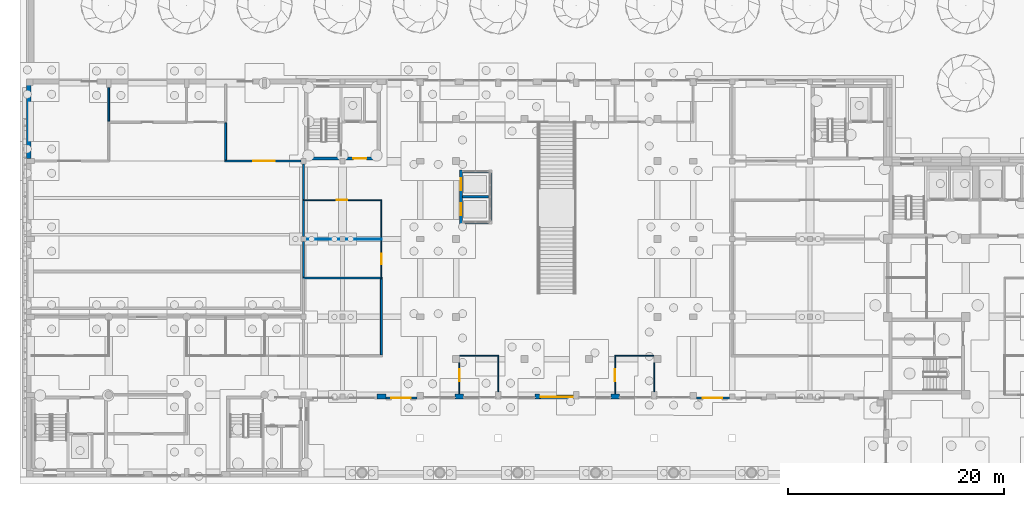
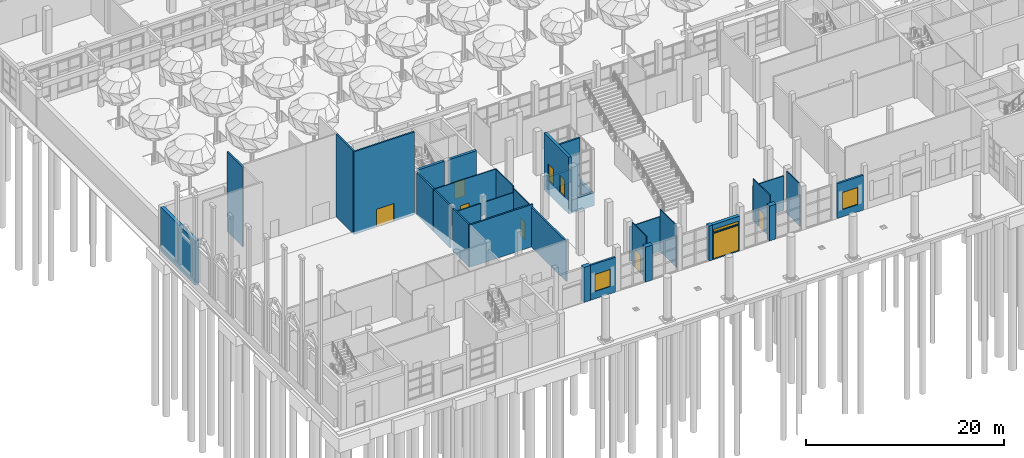
# One storey, part 42 of 80: 34 walls, 9 doors, 3 windows, 12 openings.
"""IFC4 building model written with IfcOpenShell, lengths in metres."""

import ifcopenshell
import ifcopenshell.guid

model = None  # the IFC model being written
_history = None  # IfcOwnerHistory: only IFC2X3 demands one
_inside = {}  # id of a spatial element -> (the spatial element, [elements in it])
_under = {}  # id of a project, library or spatial element -> (it, [spatial elements below it])
_declared = {}  # id of a project -> (the project, [libraries it declares])
_typed = {}  # id of a type object -> (the type object, [elements of that type])
_made_of = {}  # id of a material, layer set ... -> (it, [elements and type objects made of it])


def new_model(schema):
    """Start an empty IFC model of exactly this schema.

    Asked for "IFC4X3", IfcOpenShell would pick the latest addendum, in which some entities
    have other attributes; the version numbers below select the first issue.
    IFC2X3 requires an IfcOwnerHistory on every rooted entity: one is made here for all.
    """
    global model, _history
    if schema == "IFC4X3":
        model = ifcopenshell.file(schema_version=(4, 3, 0, 0))
    else:
        model = ifcopenshell.file(schema=schema)
    _inside.clear()
    _under.clear()
    _declared.clear()
    _typed.clear()
    _made_of.clear()
    _history = None
    if model.schema == "IFC2X3":
        org = make("IfcOrganization", Name="unknown")
        user = make(
            "IfcPersonAndOrganization",
            ThePerson=make("IfcPerson", FamilyName="unknown"),
            TheOrganization=org,
        )
        app = make(
            "IfcApplication",
            ApplicationDeveloper=org,
            Version="unknown",
            ApplicationFullName="unknown",
            ApplicationIdentifier="unknown",
        )
        _history = make(
            "IfcOwnerHistory",
            OwningUser=user,
            OwningApplication=app,
            ChangeAction="ADDED",
            CreationDate=0,
        )
    return model


def make(cls, **values):
    """One entity of the class cls with the attributes given. An attribute that is None is left unset."""
    return model.create_entity(
        cls, **{name: value for name, value in values.items() if value is not None}
    )


def rooted(cls, **values):
    """An entity with a GlobalId (a new one), such as an element, a storey or a relation."""
    return make(cls, GlobalId=ifcopenshell.guid.new(), OwnerHistory=_history, **values)


def si_unit(unit_type, name, prefix=None):
    """IfcSIUnit, for example si_unit("LENGTHUNIT", "METRE", prefix="MILLI")."""
    return make("IfcSIUnit", UnitType=unit_type, Prefix=prefix, Name=name)


def assignment(units):
    """IfcUnitAssignment: the units of a project."""
    return None if units is None else make("IfcUnitAssignment", Units=units)


def point(xyz):
    """IfcCartesianPoint."""
    return None if xyz is None else make("IfcCartesianPoint", Coordinates=xyz)


def direction(xyz):
    """IfcDirection."""
    return None if xyz is None else make("IfcDirection", DirectionRatios=xyz)


def frame(location, z_axis=None, x_axis=None):
    """IfcAxis2Placement3D, a coordinate frame: its origin and axes. An axis left out is left unset."""
    return make(
        "IfcAxis2Placement3D",
        Location=point(location),
        Axis=direction(z_axis),
        RefDirection=direction(x_axis),
    )


def frame_2d(location, x_axis=None):
    """IfcAxis2Placement2D, a coordinate frame in the plane: its origin and x axis."""
    return make(
        "IfcAxis2Placement2D", Location=point(location), RefDirection=direction(x_axis)
    )


def origin():
    """The frame at (0, 0, 0) with its axes left unset."""
    return frame((0.0, 0.0, 0.0))


def place(relative_to, where):
    """IfcLocalPlacement: puts the frame where relative to a parent placement (None: the world)."""
    return make(
        "IfcLocalPlacement", PlacementRelTo=relative_to, RelativePlacement=where
    )


def context(
    kind, dimensions, precision=None, world=None, true_north=None, identifier=None
):
    """IfcGeometricRepresentationContext, for example the 3D "Model" context."""
    return make(
        "IfcGeometricRepresentationContext",
        ContextIdentifier=identifier,
        ContextType=kind,
        CoordinateSpaceDimension=dimensions,
        Precision=precision,
        WorldCoordinateSystem=world,
        TrueNorth=true_north,
    )


def subcontext(parent, identifier, kind, view, scale=None):
    """IfcGeometricRepresentationSubContext, for example "Body" below "Model"."""
    return make(
        "IfcGeometricRepresentationSubContext",
        ContextIdentifier=identifier,
        ContextType=kind,
        ParentContext=parent,
        TargetScale=scale,
        TargetView=view,
    )


def project(units=None, contexts=None):
    """IfcProject with its units and contexts."""
    return rooted(
        "IfcProject",
        Name="project",
        RepresentationContexts=contexts,
        UnitsInContext=assignment(units),
    )


def spatial(cls, under=None, at=None, **own):
    """A site, building, storey or space (cls), placed at a placement, below another one or the project."""
    s = rooted(cls, ObjectPlacement=at, **own)
    if under is not None:
        _under.setdefault(under.id(), (under, []))[1].append(s)
    return s


def profile(cls, at=None, kind="AREA", **sizes):
    """A parametric profile (cls). Its sizes go by their IFC names, for example OverallWidth=200.0."""
    return make(cls, ProfileType=kind, Position=at, **sizes)


def rectangle(**sizes):
    """IfcRectangleProfileDef."""
    return profile("IfcRectangleProfileDef", **sizes)


def extrude(swept, where, along, depth):
    """IfcExtrudedAreaSolid: the profile swept, set in the frame where, extruded along a direction by depth."""
    return make(
        "IfcExtrudedAreaSolid",
        SweptArea=swept,
        Position=where,
        ExtrudedDirection=direction(along),
        Depth=depth,
    )


def shape(context_of_items, identifier, shape_type, items):
    """IfcShapeRepresentation: the items that make up one representation, for example the "Body"."""
    return make(
        "IfcShapeRepresentation",
        ContextOfItems=context_of_items,
        RepresentationIdentifier=identifier,
        RepresentationType=shape_type,
        Items=items,
    )


def material(Name=None, Category=None):
    """IfcMaterial."""
    return make("IfcMaterial", Name=Name, Category=Category)


def layer(
    of_material, thickness, ventilated=None, Name=None, Category=None, Priority=None
):
    """IfcMaterialLayer: one layer of a wall or slab, of a material (None: an air gap)."""
    return make(
        "IfcMaterialLayer",
        Material=of_material,
        LayerThickness=thickness,
        IsVentilated=ventilated,
        Name=Name,
        Category=Category,
        Priority=Priority,
    )


def layer_set(layers, Name=None):
    """IfcMaterialLayerSet."""
    return make("IfcMaterialLayerSet", MaterialLayers=layers, LayerSetName=Name)


def made_of(thing, what):
    """Note that an element or type object is made of a material, layer set ...; save() writes the relation."""
    if what is not None:
        _made_of.setdefault(what.id(), (what, []))[1].append(thing)
    return thing


def type_object(cls, material=None, **own):
    """A type object (cls), such as IfcWallType, which elements share."""
    return made_of(rooted(cls, **own), material)


def element(
    cls,
    number,
    at=None,
    inside=None,
    cuts=None,
    type_object=None,
    material=None,
    context=None,
    identifier="Body",
    shape_type=None,
    held_by="IfcProductDefinitionShape",
    body=None,
    shapes=None,
    **own,
):
    """One element of the class cls, such as IfcWall. Its Tag is "e" and its number.

    at: its placement. inside: the storey or other place that contains it. cuts: it is an
    opening in that element (IfcRelVoidsElement). A single representation is given by context,
    identifier, shape_type and body (its items); several are given by shapes. held_by: the class
    of the entity that holds the representations. save() writes the other relations.
    """
    e = rooted(cls, Tag="e%d" % number, ObjectPlacement=at, **own)
    if body is not None:
        shapes = [shape(context, identifier, shape_type, body)]
    if shapes is not None:
        e.Representation = make(held_by, Representations=shapes)
    if inside is not None:
        _inside.setdefault(inside.id(), (inside, []))[1].append(e)
    if cuts is not None:
        rooted(
            "IfcRelVoidsElement", RelatingBuildingElement=cuts, RelatedOpeningElement=e
        )
    if type_object is not None:
        _typed.setdefault(type_object.id(), (type_object, []))[1].append(e)
    return made_of(e, material)


def fill(opening, filler):
    """IfcRelFillsElement: the door or window that sits in an opening."""
    return rooted(
        "IfcRelFillsElement",
        RelatingOpeningElement=opening,
        RelatedBuildingElement=filler,
    )


def aggregate(whole, parts):
    """IfcRelAggregates: a whole, such as a stair, and the parts it consists of."""
    return rooted("IfcRelAggregates", RelatingObject=whole, RelatedObjects=parts)


def save(model, path):
    """Write the relations noted so far, then the file.

    IfcRelAggregates (storeys below a building ...), IfcRelContainedInSpatialStructure (elements
    in a storey), IfcRelDefinesByType, IfcRelAssociatesMaterial and IfcRelDeclares: one each for
    every whole, place, type object, material and project.
    """
    for whole, parts in _under.values():
        aggregate(whole, parts)
    for where, things in _inside.values():
        rooted(
            "IfcRelContainedInSpatialStructure",
            RelatedElements=things,
            RelatingStructure=where,
        )
    for kind, things in _typed.values():
        rooted("IfcRelDefinesByType", RelatedObjects=things, RelatingType=kind)
    for what, things in _made_of.values():
        rooted("IfcRelAssociatesMaterial", RelatedObjects=things, RelatingMaterial=what)
    for by, libraries in _declared.values():
        rooted("IfcRelDeclares", RelatingContext=by, RelatedDefinitions=libraries)
    model.write(path)


model = new_model("IFC4")

# Units and contexts
model_context = context("Model", 3, precision=1e-05, world=origin(), true_north=direction((0.0, 1.0)))
body_context = subcontext(model_context, "Body", "Model", "MODEL_VIEW")
ifc_project = project(units=[si_unit("LENGTHUNIT", "METRE"), si_unit("AREAUNIT", "SQUARE_METRE"), si_unit("VOLUMEUNIT", "CUBIC_METRE"), si_unit("PLANEANGLEUNIT", "RADIAN"), si_unit("MASSUNIT", "GRAM", prefix="KILO")], contexts=[model_context])

# Site, building, storey
site_placement = place(None, origin())
site = spatial("IfcSite", under=ifc_project, at=site_placement, CompositionType="ELEMENT")
building_placement = place(site_placement, origin())
building = spatial("IfcBuilding", under=site, at=building_placement, Name="Ussher Court Research Institute", CompositionType="ELEMENT")
storey_placement = place(building_placement, origin())
storey = spatial("IfcBuildingStorey", under=building, at=storey_placement, Name="L00", CompositionType="ELEMENT", Elevation=0.0)

# Walls
ifc_material_1 = material(Name="Plasterboard on steel studs with mineral wool", Category="steel")
ifc_layer_1 = layer(ifc_material_1, 0.179931640625)
ifc_layer_set_1 = layer_set([ifc_layer_1], Name="Plasterboard on steel studs with mineral wool")
wall_type_1 = type_object("IfcWallType", Name="Acoustic twin-stud partition 180", PredefinedType="PARTITIONING", material=ifc_layer_set_1)
wall_1_placement = place(storey_placement, frame((28.110107421875, 22.0, 0.0), z_axis=(0.0, 0.0, 1.0), x_axis=(1.0, 0.0, 0.0)))
element("IfcWall", 1, at=wall_1_placement, inside=storey, type_object=wall_type_1, Name="Partition", PredefinedType="PARTITIONING", context=body_context, shape_type="SweptSolid", body=[
    extrude(rectangle(XDim=7.3798828125, YDim=0.179931640625, at=frame_2d((3.68994140625, 0.0))), origin(), (0.0, 0.0, 1.0), 5.199951171875),
])
wall_2_placement = place(storey_placement, frame((28.199951171875, 22.090087890625, 0.0), z_axis=(0.0, 0.0, 1.0), x_axis=(0.0, 1.0, 0.0)))
element("IfcWall", 2, at=wall_2_placement, inside=storey, type_object=wall_type_1, Name="Partition", PredefinedType="PARTITIONING", context=body_context, shape_type="SweptSolid", body=[
    extrude(rectangle(XDim=3.260009765625, YDim=0.179931640625, at=frame_2d((1.6298828125, 0.0))), origin(), (0.0, 0.0, 1.0), 5.199951171875),
])
wall_3_placement = place(storey_placement, frame((28.199951171875, 25.85009765625, 0.0), z_axis=(0.0, 0.0, 1.0), x_axis=(0.0, 1.0, 0.0)))
element("IfcWall", 3, at=wall_3_placement, inside=storey, type_object=wall_type_1, Name="Partition", PredefinedType="PARTITIONING", context=body_context, shape_type="SweptSolid", body=[
    extrude(rectangle(XDim=3.2998046875, YDim=0.179931640625, at=frame_2d((1.64990234375, 0.0))), origin(), (0.0, 0.0, 1.0), 5.199951171875),
])
wall_4_placement = place(storey_placement, frame((28.199951171875, 29.25, 0.0), z_axis=(0.0, 0.0, 1.0), x_axis=(0.0, 1.0, 0.0)))
element("IfcWall", 4, at=wall_4_placement, inside=storey, type_object=wall_type_1, Name="Partition", PredefinedType="PARTITIONING", context=body_context, shape_type="SweptSolid", body=[
    extrude(rectangle(XDim=3.300048828125, YDim=0.179931640625, at=frame_2d((1.64990234375, 0.0))), origin(), (0.0, 0.0, 1.0), 5.199951171875),
])
wall_5_placement = place(storey_placement, frame((35.39990234375, 14.889892578125, 0.0), z_axis=(0.0, 0.0, 1.0), x_axis=(0.0, 1.0, 0.0)))
element("IfcWall", 5, at=wall_5_placement, inside=storey, type_object=wall_type_1, Name="Partition", PredefinedType="PARTITIONING", context=body_context, shape_type="SweptSolid", body=[
    extrude(rectangle(XDim=7.02001953125, YDim=0.179931640625, at=frame_2d((3.510009765625, 0.0))), origin(), (0.0, 0.0, 1.0), 4.919921875),
])

# Wall, openings, door, window
ifc_material_2 = material(Name="Limestone facing on cavity blockwork", Category="masonry")
ifc_layer_2 = layer(ifc_material_2, 0.3798828125)
ifc_layer_set_2 = layer_set([ifc_layer_2], Name="Limestone facing on cavity blockwork")
wall_type_2 = type_object("IfcWallType", Name="Atrium wall 380 limestone faced cavity block", PredefinedType="SOLIDWALL", material=ifc_layer_set_2)
wall_6_placement = place(storey_placement, frame((53.14990234375, 10.989990234375, 0.0), z_axis=(0.0, 0.0, 1.0), x_axis=(-1.0, 0.0, 0.0)))
wall_6 = element("IfcWall", 6, at=wall_6_placement, inside=storey, type_object=wall_type_2, Name="External wall EW7 L00", PredefinedType="SOLIDWALL", context=body_context, shape_type="SweptSolid", body=[
    extrude(rectangle(XDim=3.14990234375, YDim=0.3798828125, at=frame_2d((1.574951171875, 0.0))), origin(), (0.0, 0.0, 1.0), 4.300048828125),
])
opening_1_placement = place(wall_6_placement, frame((0.050048828125, 0.0, 0.0)))
opening_1 = element("IfcOpeningElement", 7, at=opening_1_placement, cuts=wall_6, Name="Opening DX07", PredefinedType="OPENING", context=body_context, shape_type="SweptSolid", body=[
    extrude(rectangle(XDim=3.0, YDim=3.199951171875, at=frame_2d((1.5, 1.60009765625))), frame((0.0, 0.199951171875, 0.0), z_axis=(0.0, -1.0, 0.0), x_axis=(1.0, 0.0, 0.0)), (0.0, 0.0, 1.0), 0.39990234375),
])
opening_2_placement = place(wall_6_placement, frame((0.050048828125, 0.0, 3.300048828125)))
opening_2 = element("IfcOpeningElement", 8, at=opening_2_placement, cuts=wall_6, Name="Opening W17", PredefinedType="OPENING", context=body_context, shape_type="SweptSolid", body=[
    extrude(rectangle(XDim=3.0, YDim=0.39990234375, at=frame_2d((1.5, 0.199951171875))), frame((0.0, 0.199951171875, 0.0), z_axis=(0.0, -1.0, 0.0), x_axis=(1.0, 0.0, 0.0)), (0.0, 0.0, 1.0), 0.39990234375),
])
ifc_material_3 = material(Name="Bronze anodised aluminium with toughened glass", Category="aluminium")
door_type_1 = type_object("IfcDoorType", Name="Main entrance double door 3000x3200", OperationType="DOUBLE_DOOR_SINGLE_SWING", PredefinedType="DOOR", material=ifc_material_3)
door_1_placement = place(opening_1_placement, origin())
door_1 = element("IfcDoor", 9, at=door_1_placement, inside=storey, type_object=door_type_1, Name="Door DX07", OperationType="SINGLE_SWING_LEFT", OverallHeight=3.199951171875, OverallWidth=3.0, PredefinedType="DOOR", context=body_context, shape_type="SweptSolid", body=[
    extrude(rectangle(XDim=3.0, YDim=3.199951171875, at=frame_2d((1.5, 1.60009765625))), frame((0.0, 0.02490234375, 0.0), z_axis=(0.0, -1.0, 0.0), x_axis=(1.0, 0.0, 0.0)), (0.0, 0.0, 1.0), 0.050048828125),
])
fill(opening_1, door_1)
ifc_material_4 = material(Name="Bronze anodised aluminium with double glazing", Category="aluminium")
window_type_1 = type_object("IfcWindowType", Name="Main entrance transom light 3000x400", PartitioningType="SINGLE_PANEL", PredefinedType="WINDOW", material=ifc_material_4)
window_1_placement = place(opening_2_placement, origin())
window_1 = element("IfcWindow", 10, at=window_1_placement, inside=storey, type_object=window_type_1, Name="Window W17 L00", OverallHeight=0.39990234375, OverallWidth=3.0, PartitioningType="SINGLE_PANEL", PredefinedType="WINDOW", context=body_context, shape_type="SweptSolid", body=[
    extrude(rectangle(XDim=3.0, YDim=0.39990234375, at=frame_2d((1.5, 0.199951171875))), frame((0.0, 0.030029296875, 0.0), z_axis=(0.0, -1.0, 0.0), x_axis=(1.0, 0.0, 0.0)), (0.0, 0.0, 1.0), 0.06005859375),
])
fill(opening_2, window_1)

# Wall
ifc_material_5 = material(Name="Concrete C35/45", Category="concrete")
ifc_layer_3 = layer(ifc_material_5, 0.419921875)
ifc_layer_set_3 = layer_set([ifc_layer_3], Name="Concrete C35/45")
wall_type_3 = type_object("IfcWallType", Name="Blind west wall 420 reinforced concrete limestone faced", PredefinedType="SOLIDWALL", material=ifc_layer_set_3)
wall_7_placement = place(storey_placement, frame((2.81005859375, 33.02490234375, 0.0), z_axis=(0.0, 0.0, 1.0), x_axis=(0.0, 1.0, 0.0)))
element("IfcWall", 11, at=wall_7_placement, inside=storey, type_object=wall_type_3, Name="RC wall RW2 west", PredefinedType="SOLIDWALL", context=body_context, shape_type="SweptSolid", body=[
    extrude(rectangle(XDim=6.97509765625, YDim=0.419921875, at=frame_2d((3.487548828125, 0.0))), origin(), (0.0, 0.0, 1.0), 5.39990234375),
])

# Wall, opening, window
ifc_material_6 = material(Name="Limestone facing on insulated blockwork", Category="masonry")
ifc_layer_4 = layer(ifc_material_6, 0.219970703125)
ifc_layer_set_4 = layer_set([ifc_layer_4], Name="Limestone facing on insulated blockwork")
wall_type_4 = type_object("IfcWallType", Name="Link wall 220 limestone faced insulated block", PredefinedType="SOLIDWALL", material=ifc_layer_set_4)
wall_8_placement = place(storey_placement, frame((67.550048828125, 10.909912109375, 0.0), z_axis=(0.0, 0.0, 1.0), x_axis=(-1.0, 0.0, 0.0)))
wall_8 = element("IfcWall", 12, at=wall_8_placement, inside=storey, type_object=wall_type_4, Name="External wall EW6 L00", PredefinedType="SOLIDWALL", context=body_context, shape_type="SweptSolid", body=[
    extrude(rectangle(XDim=3.050048828125, YDim=0.219970703125, at=frame_2d((1.52490234375, 0.0))), origin(), (0.0, 0.0, 1.0), 4.300048828125),
])
opening_3_placement = place(wall_8_placement, frame((0.64990234375, 0.0, 0.89990234375)))
opening_3 = element("IfcOpeningElement", 13, at=opening_3_placement, cuts=wall_8, Name="Opening W09", PredefinedType="OPENING", context=body_context, shape_type="SweptSolid", body=[
    extrude(rectangle(XDim=1.800048828125, YDim=2.10009765625, at=frame_2d((0.89990234375, 1.050048828125))), frame((0.0, 0.1201171875, 0.0), z_axis=(0.0, -1.0, 0.0), x_axis=(1.0, 0.0, 0.0)), (0.0, 0.0, 1.0), 0.239990234375),
])
ifc_material_7 = material(Name="Bronze anodised aluminium with double glazing", Category="aluminium")
window_type_2 = type_object("IfcWindowType", Name="Reading link ground floor window 1800x2100", PartitioningType="DOUBLE_PANEL_VERTICAL", PredefinedType="WINDOW", material=ifc_material_7)
window_2_placement = place(opening_3_placement, origin())
window_2 = element("IfcWindow", 14, at=window_2_placement, inside=storey, type_object=window_type_2, Name="Window W09 L00", OverallHeight=2.10009765625, OverallWidth=1.800048828125, PartitioningType="SINGLE_PANEL", PredefinedType="WINDOW", context=body_context, shape_type="SweptSolid", body=[
    extrude(rectangle(XDim=1.800048828125, YDim=2.10009765625, at=frame_2d((0.89990234375, 1.050048828125))), frame((0.0, 0.030029296875, 0.0), z_axis=(0.0, -1.0, 0.0), x_axis=(1.0, 0.0, 0.0)), (0.0, 0.0, 1.0), 0.06005859375),
])
fill(opening_3, window_2)

wall_9_placement = place(storey_placement, frame((38.699951171875, 10.909912109375, 0.0), z_axis=(0.0, 0.0, 1.0), x_axis=(-1.0, 0.0, 0.0)))
wall_9 = element("IfcWall", 15, at=wall_9_placement, inside=storey, type_object=wall_type_4, Name="External wall EW6 L00", PredefinedType="SOLIDWALL", context=body_context, shape_type="SweptSolid", body=[
    extrude(rectangle(XDim=2.89990234375, YDim=0.219970703125, at=frame_2d((1.449951171875, 0.0))), origin(), (0.0, 0.0, 1.0), 4.300048828125),
])
opening_4_placement = place(wall_9_placement, frame((0.60009765625, 0.0, 0.89990234375)))
opening_4 = element("IfcOpeningElement", 16, at=opening_4_placement, cuts=wall_9, Name="Opening W09", PredefinedType="OPENING", context=body_context, shape_type="SweptSolid", body=[
    extrude(rectangle(XDim=1.800048828125, YDim=2.10009765625, at=frame_2d((0.89990234375, 1.050048828125))), frame((0.0, 0.1201171875, 0.0), z_axis=(0.0, -1.0, 0.0), x_axis=(1.0, 0.0, 0.0)), (0.0, 0.0, 1.0), 0.239990234375),
])
window_3_placement = place(opening_4_placement, origin())
window_3 = element("IfcWindow", 17, at=window_3_placement, inside=storey, type_object=window_type_2, Name="Window W09 L00", OverallHeight=2.10009765625, OverallWidth=1.800048828125, PartitioningType="SINGLE_PANEL", PredefinedType="WINDOW", context=body_context, shape_type="SweptSolid", body=[
    extrude(rectangle(XDim=1.800048828125, YDim=2.10009765625, at=frame_2d((0.89990234375, 1.050048828125))), frame((0.0, 0.030029296875, 0.0), z_axis=(0.0, -1.0, 0.0), x_axis=(1.0, 0.0, 0.0)), (0.0, 0.0, 1.0), 0.06005859375),
])
fill(opening_4, window_3)

# Walls
ifc_material_8 = material(Name="Plastered blockwork", Category="masonry")
ifc_layer_5 = layer(ifc_material_8, 0.10009765625)
ifc_layer_set_5 = layer_set([ifc_layer_5], Name="Plastered blockwork")
wall_type_5 = type_object("IfcWallType", Name="Partition plastered blockwork 100", PredefinedType="PARTITIONING", material=ifc_layer_set_5)
for number, where, z_axis, x_axis, name in (
    (18, (42.625, 14.800048828125, 0.0), (0.0, 0.0, 1.0), (1.0, 0.0, 0.0), "Partition"),
    (19, (56.949951171875, 14.800048828125, 0.0), (0.0, 0.0, 1.0), (1.0, 0.0, 0.0), "Partition"),
):
    element("IfcWall", number, at=place(storey_placement, frame(where, z_axis=z_axis, x_axis=x_axis)), inside=storey, type_object=wall_type_5, Name=name, PredefinedType="PARTITIONING", context=body_context, shape_type="SweptSolid", body=[
        extrude(rectangle(XDim=3.625, YDim=0.10009765625, at=frame_2d((1.8125, 0.0))), origin(), (0.0, 0.0, 1.0), 4.27001953125),
    ])

# Wall, opening, door
wall_10_placement = place(storey_placement, frame((35.449951171875, 29.199951171875, 0.0), z_axis=(0.0, 0.0, 1.0), x_axis=(-1.0, 0.0, 0.0)))
wall_10 = element("IfcWall", 20, at=wall_10_placement, inside=storey, type_object=wall_type_5, Name="Partition", PredefinedType="PARTITIONING", context=body_context, shape_type="SweptSolid", body=[
    extrude(rectangle(XDim=7.33984375, YDim=0.10009765625, at=frame_2d((3.669921875, 0.0))), origin(), (0.0, 0.0, 1.0), 5.199951171875),
])
opening_5_placement = place(wall_10_placement, frame((3.199951171875, 0.0, 0.0)))
opening_5 = element("IfcOpeningElement", 21, at=opening_5_placement, cuts=wall_10, Name="Opening D00030", PredefinedType="OPENING", context=body_context, shape_type="SweptSolid", body=[
    extrude(rectangle(XDim=1.0, YDim=2.10009765625, at=frame_2d((0.5, 1.050048828125))), frame((0.0, 0.06005859375, 0.0), z_axis=(0.0, -1.0, 0.0), x_axis=(1.0, 0.0, 0.0)), (0.0, 0.0, 1.0), 0.1201171875),
])
ifc_material_9 = material(Name="Veneered timber door", Category="wood")
door_type_2 = type_object("IfcDoorType", Name="Office door 1000x2100", OperationType="NOTDEFINED", PredefinedType="DOOR", material=ifc_material_9)
door_2_placement = place(opening_5_placement, origin())
door_2 = element("IfcDoor", 22, at=door_2_placement, inside=storey, type_object=door_type_2, Name="Door D00030", OperationType="SINGLE_SWING_RIGHT", OverallHeight=2.10009765625, OverallWidth=1.0, PredefinedType="DOOR", context=body_context, shape_type="SweptSolid", body=[
    extrude(rectangle(XDim=1.0, YDim=2.10009765625, at=frame_2d((0.5, 1.050048828125))), frame((0.0, 0.02490234375, 0.0), z_axis=(0.0, -1.0, 0.0), x_axis=(1.0, 0.0, 0.0)), (0.0, 0.0, 1.0), 0.050048828125),
])
fill(opening_5, door_2)

# Wall
wall_11_placement = place(storey_placement, frame((35.39990234375, 25.64501953125, 0.0), z_axis=(0.0, 0.0, 1.0), x_axis=(0.0, 1.0, 0.0)))
element("IfcWall", 23, at=wall_11_placement, inside=storey, type_object=wall_type_5, Name="Partition", PredefinedType="PARTITIONING", context=body_context, shape_type="SweptSolid", body=[
    extrude(rectangle(XDim=3.5048828125, YDim=0.10009765625, at=frame_2d((1.75244140625, 0.0))), origin(), (0.0, 0.0, 1.0), 5.199951171875),
])

# Wall, opening, door
wall_12_placement = place(storey_placement, frame((42.60009765625, 14.175048828125, 0.0), z_axis=(0.0, 0.0, 1.0), x_axis=(0.0, -1.0, 0.0)))
wall_12 = element("IfcWall", 24, at=wall_12_placement, inside=storey, type_object=wall_type_5, Name="Partition", PredefinedType="PARTITIONING", context=body_context, shape_type="SweptSolid", body=[
    extrude(rectangle(XDim=2.875, YDim=0.10009765625, at=frame_2d((1.4375, 0.0))), origin(), (0.0, 0.0, 1.0), 5.199951171875),
])
opening_6_placement = place(wall_12_placement, frame((0.625, 0.0, 0.0)))
opening_6 = element("IfcOpeningElement", 25, at=opening_6_placement, cuts=wall_12, Name="Opening D00038", PredefinedType="OPENING", context=body_context, shape_type="SweptSolid", body=[
    extrude(rectangle(XDim=1.10009765625, YDim=2.199951171875, at=frame_2d((0.550048828125, 1.10009765625))), frame((0.0, 0.06005859375, 0.0), z_axis=(0.0, -1.0, 0.0), x_axis=(1.0, 0.0, 0.0)), (0.0, 0.0, 1.0), 0.1201171875),
])
ifc_material_10 = material(Name="Veneered timber door", Category="wood")
door_type_3 = type_object("IfcDoorType", Name="Reception door 1100x2200", OperationType="NOTDEFINED", PredefinedType="DOOR", material=ifc_material_10)
door_3_placement = place(opening_6_placement, origin())
door_3 = element("IfcDoor", 26, at=door_3_placement, inside=storey, type_object=door_type_3, Name="Door D00038", OperationType="SINGLE_SWING_LEFT", OverallHeight=2.199951171875, OverallWidth=1.10009765625, PredefinedType="DOOR", context=body_context, shape_type="SweptSolid", body=[
    extrude(rectangle(XDim=1.10009765625, YDim=2.199951171875, at=frame_2d((0.550048828125, 1.10009765625))), frame((0.0, 0.02490234375, 0.0), z_axis=(0.0, -1.0, 0.0), x_axis=(1.0, 0.0, 0.0)), (0.0, 0.0, 1.0), 0.050048828125),
])
fill(opening_6, door_3)

# Wall
wall_13_placement = place(storey_placement, frame((46.199951171875, 11.5, 0.0), z_axis=(0.0, 0.0, 1.0), x_axis=(0.0, 1.0, 0.0)))
element("IfcWall", 27, at=wall_13_placement, inside=storey, type_object=wall_type_5, Name="Partition", PredefinedType="PARTITIONING", context=body_context, shape_type="SweptSolid", body=[
    extrude(rectangle(XDim=3.25, YDim=0.10009765625, at=frame_2d((1.625, 0.0))), origin(), (0.0, 0.0, 1.0), 5.199951171875),
])

# Wall, opening, door
wall_14_placement = place(storey_placement, frame((57.0, 14.75, 0.0), z_axis=(0.0, 0.0, 1.0), x_axis=(0.0, -1.0, 0.0)))
wall_14 = element("IfcWall", 28, at=wall_14_placement, inside=storey, type_object=wall_type_5, Name="Partition", PredefinedType="PARTITIONING", context=body_context, shape_type="SweptSolid", body=[
    extrude(rectangle(XDim=3.449951171875, YDim=0.10009765625, at=frame_2d((1.72509765625, 0.0))), origin(), (0.0, 0.0, 1.0), 5.199951171875),
])
opening_7_placement = place(wall_14_placement, frame((1.199951171875, 0.0, 0.0)))
opening_7 = element("IfcOpeningElement", 29, at=opening_7_placement, cuts=wall_14, Name="Opening D00045", PredefinedType="OPENING", context=body_context, shape_type="SweptSolid", body=[
    extrude(rectangle(XDim=1.10009765625, YDim=2.199951171875, at=frame_2d((0.550048828125, 1.10009765625))), frame((0.0, 0.06005859375, 0.0), z_axis=(0.0, -1.0, 0.0), x_axis=(1.0, 0.0, 0.0)), (0.0, 0.0, 1.0), 0.1201171875),
])
door_4_placement = place(opening_7_placement, origin())
door_4 = element("IfcDoor", 30, at=door_4_placement, inside=storey, type_object=door_type_3, Name="Door D00045", OperationType="SINGLE_SWING_RIGHT", OverallHeight=2.199951171875, OverallWidth=1.10009765625, PredefinedType="DOOR", context=body_context, shape_type="SweptSolid", body=[
    extrude(rectangle(XDim=1.10009765625, YDim=2.199951171875, at=frame_2d((0.550048828125, 1.10009765625))), frame((0.0, 0.02490234375, 0.0), z_axis=(0.0, -1.0, 0.0), x_axis=(1.0, 0.0, 0.0)), (0.0, 0.0, 1.0), 0.050048828125),
])
fill(opening_7, door_4)

# Walls
wall_15_placement = place(storey_placement, frame((60.60009765625, 11.5, 0.0), z_axis=(0.0, 0.0, 1.0), x_axis=(0.0, 1.0, 0.0)))
element("IfcWall", 31, at=wall_15_placement, inside=storey, type_object=wall_type_5, Name="Partition", PredefinedType="PARTITIONING", context=body_context, shape_type="SweptSolid", body=[
    extrude(rectangle(XDim=2.675048828125, YDim=0.10009765625, at=frame_2d((1.33740234375, 0.0))), origin(), (0.0, 0.0, 1.0), 5.199951171875),
])
ifc_material_11 = material(Name="Limestone facing on blockwork", Category="masonry")
ifc_layer_6 = layer(ifc_material_11, 0.5)
ifc_layer_set_6 = layer_set([ifc_layer_6], Name="Limestone facing on blockwork")
wall_type_6 = type_object("IfcWallType", Name="Pier 400x500 entrance reveal", PredefinedType="SOLIDWALL", material=ifc_layer_set_6)
wall_16_placement = place(storey_placement, frame((50.0, 11.050048828125, 0.0), z_axis=(0.0, 0.0, 1.0), x_axis=(-1.0, 0.0, 0.0)))
element("IfcWall", 32, at=wall_16_placement, inside=storey, type_object=wall_type_6, Name="Pier PR3 L00", PredefinedType="SOLIDWALL", context=body_context, shape_type="SweptSolid", body=[
    extrude(rectangle(XDim=0.39990234375, YDim=0.5, at=frame_2d((0.199951171875, 0.0))), origin(), (0.0, 0.0, 1.0), 4.300048828125),
])
ifc_material_12 = material(Name="Rusticated limestone facing on blockwork", Category="masonry")
ifc_layer_7 = layer(ifc_material_12, 0.5)
ifc_layer_set_7 = layer_set([ifc_layer_7], Name="Rusticated limestone facing on blockwork")
wall_type_7 = type_object("IfcWallType", Name="Pier 800x500 rusticated limestone", PredefinedType="SOLIDWALL", material=ifc_layer_set_7)
wall_17_placement = place(storey_placement, frame((57.39990234375, 11.050048828125, 0.0), z_axis=(0.0, 0.0, 1.0), x_axis=(-1.0, 0.0, 0.0)))
element("IfcWall", 33, at=wall_17_placement, inside=storey, type_object=wall_type_7, Name="Pier PR2 L00", PredefinedType="SOLIDWALL", context=body_context, shape_type="SweptSolid", body=[
    extrude(rectangle(XDim=0.7998046875, YDim=0.5, at=frame_2d((0.39990234375, 0.0))), origin(), (0.0, 0.0, 1.0), 4.300048828125),
])
for number, where, z_axis, x_axis, name in (
    (34, (43.0, 11.050048828125, 0.0), (0.0, 0.0, 1.0), (-1.0, 0.0, 0.0), "Pier PR2 L00"),
    (35, (35.800048828125, 11.050048828125, 0.0), (0.0, 0.0, 1.0), (-1.0, 0.0, 0.0), "Pier PR2 L00"),
):
    element("IfcWall", number, at=place(storey_placement, frame(where, z_axis=z_axis, x_axis=x_axis)), inside=storey, type_object=wall_type_7, Name=name, PredefinedType="SOLIDWALL", context=body_context, shape_type="SweptSolid", body=[
        extrude(rectangle(XDim=0.800048828125, YDim=0.5, at=frame_2d((0.39990234375, 0.0))), origin(), (0.0, 0.0, 1.0), 4.300048828125),
    ])
ifc_material_13 = material(Name="Concrete C35/45", Category="concrete")
ifc_layer_8 = layer(ifc_material_13, 0.199951171875)
ifc_layer_set_8 = layer_set([ifc_layer_8], Name="Concrete C35/45")
wall_type_8 = type_object("IfcWallType", Name="RC core wall 200", PredefinedType="SHEAR", material=ifc_layer_set_8)
wall_18_placement = place(storey_placement, frame((42.89990234375, 29.5, -1.60009765625), z_axis=(0.0, 0.0, 1.0), x_axis=(1.0, 0.0, 0.0)))
element("IfcWall", 36, at=wall_18_placement, inside=storey, type_object=wall_type_8, Name="Lift shaft divider atrium", PredefinedType="SHEAR", context=body_context, shape_type="SweptSolid", body=[
    extrude(rectangle(XDim=2.400146484375, YDim=0.199951171875, at=frame_2d((1.2001953125, 0.0))), origin(), (0.0, 0.0, 1.0), 7.0),
])
ifc_material_14 = material(Name="Concrete C35/45", Category="concrete")
ifc_layer_9 = layer(ifc_material_14, 0.300048828125)
ifc_layer_set_9 = layer_set([ifc_layer_9], Name="Concrete C35/45")
wall_type_9 = type_object("IfcWallType", Name="RC core wall 300", PredefinedType="SHEAR", material=ifc_layer_set_9)
wall_19_placement = place(storey_placement, frame((28.449951171875, 33.050048828125, 0.0), z_axis=(0.0, 0.0, 1.0), x_axis=(1.0, 0.0, 0.0)))
element("IfcWall", 37, at=wall_19_placement, inside=storey, type_object=wall_type_9, Name="Core wall W1", PredefinedType="SHEAR", context=body_context, shape_type="SweptSolid", body=[
    extrude(rectangle(XDim=3.10009765625, YDim=0.300048828125, at=frame_2d((1.550048828125, 0.0))), origin(), (0.0, 0.0, 1.0), 5.199951171875),
])

# Wall, opening, door
wall_20_placement = place(storey_placement, frame((32.050048828125, 33.050048828125, 0.0), z_axis=(0.0, 0.0, 1.0), x_axis=(1.0, 0.0, 0.0)))
wall_20 = element("IfcWall", 38, at=wall_20_placement, inside=storey, type_object=wall_type_9, Name="Core wall W1", PredefinedType="SHEAR", context=body_context, shape_type="SweptSolid", body=[
    extrude(rectangle(XDim=3.25, YDim=0.300048828125, at=frame_2d((1.625, 0.0))), origin(), (0.0, 0.0, 1.0), 5.199951171875),
])
opening_8_placement = place(wall_20_placement, frame((0.75, 0.0, 0.0)))
opening_8 = element("IfcOpeningElement", 39, at=opening_8_placement, cuts=wall_20, Name="Opening D00032", PredefinedType="OPENING", context=body_context, shape_type="SweptSolid", body=[
    extrude(rectangle(XDim=1.199951171875, YDim=2.10009765625, at=frame_2d((0.60009765625, 1.050048828125))), frame((0.0, 0.16015625, 0.0), z_axis=(0.0, -1.0, 0.0), x_axis=(1.0, 0.0, 0.0)), (0.0, 0.0, 1.0), 0.320068359375),
])
ifc_material_15 = material(Name="Painted steel faced fire door", Category="steel")
door_type_4 = type_object("IfcDoorType", Name="Fire door 1200x2100 FD60", OperationType="NOTDEFINED", PredefinedType="DOOR", material=ifc_material_15)
door_5_placement = place(opening_8_placement, origin())
door_5 = element("IfcDoor", 40, at=door_5_placement, inside=storey, type_object=door_type_4, Name="Door D00032", OperationType="SINGLE_SWING_LEFT", OverallHeight=2.10009765625, OverallWidth=1.199951171875, PredefinedType="DOOR", context=body_context, shape_type="SweptSolid", body=[
    extrude(rectangle(XDim=1.199951171875, YDim=2.10009765625, at=frame_2d((0.60009765625, 1.050048828125))), frame((0.0, 0.02490234375, 0.0), z_axis=(0.0, -1.0, 0.0), x_axis=(1.0, 0.0, 0.0)), (0.0, 0.0, 1.0), 0.050048828125),
])
fill(opening_8, door_5)

# Wall, openings, doors
wall_21_placement = place(storey_placement, frame((42.75, 27.0, -1.60009765625), z_axis=(0.0, 0.0, 1.0), x_axis=(0.0, 1.0, 0.0)))
wall_21 = element("IfcWall", 41, at=wall_21_placement, inside=storey, type_object=wall_type_9, Name="Lift shaft wall atrium", PredefinedType="SHEAR", context=body_context, shape_type="SweptSolid", body=[
    extrude(rectangle(XDim=5.0, YDim=0.300048828125, at=frame_2d((2.5, 0.0))), origin(), (0.0, 0.0, 1.0), 7.0),
])
opening_9_placement = place(wall_21_placement, frame((0.800048828125, 0.0, 1.60009765625)))
opening_9 = element("IfcOpeningElement", 42, at=opening_9_placement, cuts=wall_21, Name="Opening LD04", PredefinedType="OPENING", context=body_context, shape_type="SweptSolid", body=[
    extrude(rectangle(XDim=1.10009765625, YDim=2.10009765625, at=frame_2d((0.550048828125, 1.050048828125))), frame((0.0, 0.16015625, 0.0), z_axis=(0.0, -1.0, 0.0), x_axis=(1.0, 0.0, 0.0)), (0.0, 0.0, 1.0), 0.320068359375),
])
opening_10_placement = place(wall_21_placement, frame((3.10009765625, 0.0, 1.60009765625)))
opening_10 = element("IfcOpeningElement", 43, at=opening_10_placement, cuts=wall_21, Name="Opening LD05", PredefinedType="OPENING", context=body_context, shape_type="SweptSolid", body=[
    extrude(rectangle(XDim=1.10009765625, YDim=2.10009765625, at=frame_2d((0.550048828125, 1.050048828125))), frame((0.0, 0.16015625, 0.0), z_axis=(0.0, -1.0, 0.0), x_axis=(1.0, 0.0, 0.0)), (0.0, 0.0, 1.0), 0.320068359375),
])
ifc_material_16 = material(Name="Stainless steel lift door", Category="steel")
door_type_5 = type_object("IfcDoorType", Name="Lift landing door 1100x2100 sliding", OperationType="DOUBLE_DOOR_SLIDING", PredefinedType="DOOR", material=ifc_material_16)
door_6_placement = place(opening_9_placement, origin())
door_6 = element("IfcDoor", 44, at=door_6_placement, inside=storey, type_object=door_type_5, Name="Landing door LP7 L00", OperationType="DOUBLE_DOOR_SLIDING", OverallHeight=2.10009765625, OverallWidth=1.10009765625, PredefinedType="DOOR", context=body_context, shape_type="SweptSolid", body=[
    extrude(rectangle(XDim=1.10009765625, YDim=2.10009765625, at=frame_2d((0.550048828125, 1.050048828125))), frame((0.0, 0.02490234375, 0.0), z_axis=(0.0, -1.0, 0.0), x_axis=(1.0, 0.0, 0.0)), (0.0, 0.0, 1.0), 0.050048828125),
])
fill(opening_9, door_6)
door_7_placement = place(opening_10_placement, origin())
door_7 = element("IfcDoor", 45, at=door_7_placement, inside=storey, type_object=door_type_5, Name="Landing door LP8 L00", OperationType="DOUBLE_DOOR_SLIDING", OverallHeight=2.10009765625, OverallWidth=1.10009765625, PredefinedType="DOOR", context=body_context, shape_type="SweptSolid", body=[
    extrude(rectangle(XDim=1.10009765625, YDim=2.10009765625, at=frame_2d((0.550048828125, 1.050048828125))), frame((0.0, 0.02490234375, 0.0), z_axis=(0.0, -1.0, 0.0), x_axis=(1.0, 0.0, 0.0)), (0.0, 0.0, 1.0), 0.050048828125),
])
fill(opening_10, door_7)

# Walls
for number, where, z_axis, x_axis, name in (
    (46, (42.89990234375, 27.14990234375, -1.60009765625), (0.0, 0.0, 1.0), (1.0, 0.0, 0.0), "Lift pit wall atrium"),
    (47, (42.89990234375, 31.85009765625, -1.60009765625), (0.0, 0.0, 1.0), (1.0, 0.0, 0.0), "Lift pit wall atrium"),
):
    element("IfcWall", number, at=place(storey_placement, frame(where, z_axis=z_axis, x_axis=x_axis)), inside=storey, type_object=wall_type_9, Name=name, PredefinedType="SHEAR", context=body_context, shape_type="SweptSolid", body=[
        extrude(rectangle(XDim=2.7001953125, YDim=0.300048828125, at=frame_2d((1.35009765625, 0.0))), origin(), (0.0, 0.0, 1.0), 1.60009765625),
    ])
wall_22_placement = place(storey_placement, frame((45.449951171875, 27.300048828125, -1.60009765625), z_axis=(0.0, 0.0, 1.0), x_axis=(0.0, 1.0, 0.0)))
element("IfcWall", 48, at=wall_22_placement, inside=storey, type_object=wall_type_9, Name="Lift pit wall atrium", PredefinedType="SHEAR", context=body_context, shape_type="SweptSolid", body=[
    extrude(rectangle(XDim=4.39990234375, YDim=0.300048828125, at=frame_2d((2.199951171875, 0.0))), origin(), (0.0, 0.0, 1.0), 1.60009765625),
])
ifc_material_17 = material(Name="Moisture-resistant board on steel studs", Category="steel")
ifc_layer_10 = layer(ifc_material_17, 0.090087890625)
ifc_layer_set_10 = layer_set([ifc_layer_10], Name="Moisture-resistant board on steel studs")
wall_type_10 = type_object("IfcWallType", Name="WC lining partition 90", PredefinedType="PARTITIONING", material=ifc_layer_set_10)
wall_23_placement = place(storey_placement, frame((28.449951171875, 25.60009765625, 0.0), z_axis=(0.0, 0.0, 1.0), x_axis=(1.0, 0.0, 0.0)))
element("IfcWall", 49, at=wall_23_placement, inside=storey, type_object=wall_type_10, Name="Partition", PredefinedType="PARTITIONING", context=body_context, shape_type="SweptSolid", body=[
    extrude(rectangle(XDim=3.10009765625, YDim=0.090087890625, at=frame_2d((1.550048828125, 0.0))), origin(), (0.0, 0.0, 1.0), 4.469970703125),
])
wall_24_placement = place(storey_placement, frame((32.050048828125, 25.60009765625, 0.0), z_axis=(0.0, 0.0, 1.0), x_axis=(1.0, 0.0, 0.0)))
element("IfcWall", 50, at=wall_24_placement, inside=storey, type_object=wall_type_10, Name="Partition", PredefinedType="PARTITIONING", context=body_context, shape_type="SweptSolid", body=[
    extrude(rectangle(XDim=3.39990234375, YDim=0.090087890625, at=frame_2d((1.699951171875, 0.0))), origin(), (0.0, 0.0, 1.0), 4.469970703125),
])

# Wall, opening, door
wall_25_placement = place(storey_placement, frame((35.39990234375, 22.090087890625, 0.0), z_axis=(0.0, 0.0, 1.0), x_axis=(0.0, 1.0, 0.0)))
wall_25 = element("IfcWall", 51, at=wall_25_placement, inside=storey, type_object=wall_type_10, Name="Partition", PredefinedType="PARTITIONING", context=body_context, shape_type="SweptSolid", body=[
    extrude(rectangle(XDim=3.46484375, YDim=0.090087890625, at=frame_2d((1.732421875, 0.0))), origin(), (0.0, 0.0, 1.0), 4.919921875),
])
opening_11_placement = place(wall_25_placement, frame((1.159912109375, 0.0, 0.0)))
opening_11 = element("IfcOpeningElement", 52, at=opening_11_placement, cuts=wall_25, Name="Opening D00035", PredefinedType="OPENING", context=body_context, shape_type="SweptSolid", body=[
    extrude(rectangle(XDim=1.0, YDim=2.199951171875, at=frame_2d((0.5, 1.10009765625))), frame((0.0, 0.05517578125, 0.0), z_axis=(0.0, -1.0, 0.0), x_axis=(1.0, 0.0, 0.0)), (0.0, 0.0, 1.0), 0.110107421875),
])
ifc_material_18 = material(Name="Veneered timber door", Category="wood")
door_type_6 = type_object("IfcDoorType", Name="Accessible WC door 1000x2200", OperationType="NOTDEFINED", PredefinedType="DOOR", material=ifc_material_18)
door_8_placement = place(opening_11_placement, origin())
door_8 = element("IfcDoor", 53, at=door_8_placement, inside=storey, type_object=door_type_6, Name="Door D00035", OperationType="SINGLE_SWING_LEFT", OverallHeight=2.199951171875, OverallWidth=1.0, PredefinedType="DOOR", context=body_context, shape_type="SweptSolid", body=[
    extrude(rectangle(XDim=1.0, YDim=2.199951171875, at=frame_2d((0.5, 1.10009765625))), frame((0.0, 0.02490234375, 0.0), z_axis=(0.0, -1.0, 0.0), x_axis=(1.0, 0.0, 0.0)), (0.0, 0.0, 1.0), 0.050048828125),
])
fill(opening_11, door_8)

ifc_material_19 = material(Name="Plastered blockwork", Category="masonry")
ifc_layer_11 = layer(ifc_material_19, 0.179931640625)
ifc_layer_set_11 = layer_set([ifc_layer_11], Name="Plastered blockwork")
wall_type_11 = type_object("IfcWallType", Name="Workshop block 180 EI 60", PredefinedType="PARTITIONING", material=ifc_layer_set_11)
wall_26_placement = place(storey_placement, frame((20.909912109375, 32.800048828125, 0.0), z_axis=(0.0, 0.0, 1.0), x_axis=(1.0, 0.0, 0.0)))
wall_26 = element("IfcWall", 54, at=wall_26_placement, inside=storey, type_object=wall_type_11, Name="Fire partition", PredefinedType="PARTITIONING", context=body_context, shape_type="SweptSolid", body=[
    extrude(rectangle(XDim=7.0400390625, YDim=0.179931640625, at=frame_2d((3.52001953125, 0.0))), origin(), (0.0, 0.0, 1.0), 10.199951171875),
])
opening_12_placement = place(wall_26_placement, frame((2.639892578125, 0.0, 0.0)))
opening_12 = element("IfcOpeningElement", 55, at=opening_12_placement, cuts=wall_26, Name="Opening D00021", PredefinedType="OPENING", context=body_context, shape_type="SweptSolid", body=[
    extrude(rectangle(XDim=2.0, YDim=2.199951171875, at=frame_2d((1.0, 1.10009765625))), frame((0.0, 0.10009765625, 0.0), z_axis=(0.0, -1.0, 0.0), x_axis=(1.0, 0.0, 0.0)), (0.0, 0.0, 1.0), 0.199951171875),
])
ifc_material_20 = material(Name="Painted steel faced fire door", Category="steel")
door_type_7 = type_object("IfcDoorType", Name="Stage and goods door 2000x2200 FD60 double leaf", OperationType="DOUBLE_DOOR_SINGLE_SWING", PredefinedType="DOOR", material=ifc_material_20)
door_9_placement = place(opening_12_placement, origin())
door_9 = element("IfcDoor", 56, at=door_9_placement, inside=storey, type_object=door_type_7, Name="Door D00021", OperationType="SINGLE_SWING_LEFT", OverallHeight=2.199951171875, OverallWidth=2.0, PredefinedType="DOOR", context=body_context, shape_type="SweptSolid", body=[
    extrude(rectangle(XDim=2.0, YDim=2.199951171875, at=frame_2d((1.0, 1.10009765625))), frame((0.0, 0.02490234375, 0.0), z_axis=(0.0, -1.0, 0.0), x_axis=(1.0, 0.0, 0.0)), (0.0, 0.0, 1.0), 0.050048828125),
])
fill(opening_12, door_9)

# Walls
wall_27_placement = place(storey_placement, frame((10.199951171875, 36.489990234375, 0.0), z_axis=(0.0, 0.0, 1.0), x_axis=(0.0, 1.0, 0.0)))
element("IfcWall", 57, at=wall_27_placement, inside=storey, type_object=wall_type_11, Name="Fire partition", PredefinedType="PARTITIONING", context=body_context, shape_type="SweptSolid", body=[
    extrude(rectangle(XDim=3.110107421875, YDim=0.179931640625, at=frame_2d((1.55517578125, 0.0))), origin(), (0.0, 0.0, 1.0), 9.826171875),
])
wall_28_placement = place(storey_placement, frame((21.0, 32.889892578125, 0.0), z_axis=(0.0, 0.0, 1.0), x_axis=(0.0, 1.0, 0.0)))
element("IfcWall", 58, at=wall_28_placement, inside=storey, type_object=wall_type_11, Name="Fire partition", PredefinedType="PARTITIONING", context=body_context, shape_type="SweptSolid", body=[
    extrude(rectangle(XDim=3.43505859375, YDim=0.179931640625, at=frame_2d((1.717529296875, 0.0))), origin(), (0.0, 0.0, 1.0), 10.199951171875),
])

save(model, "model.ifc")
